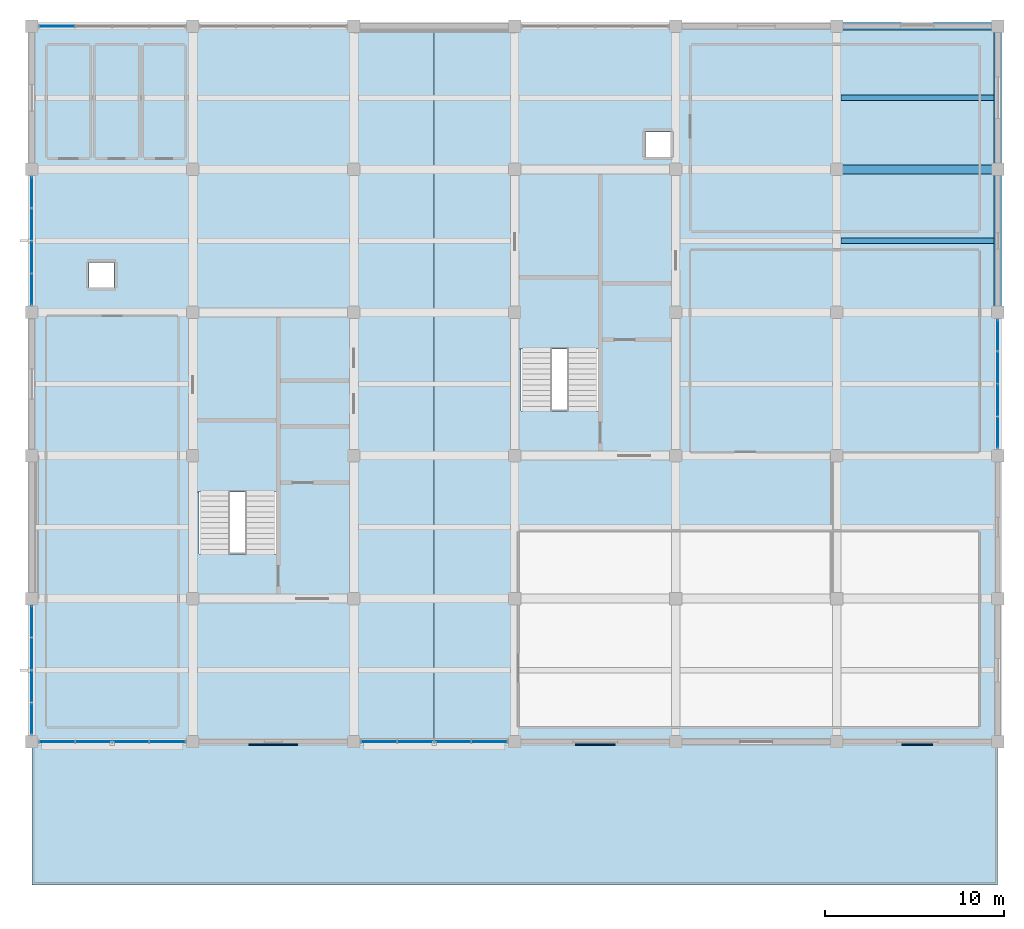
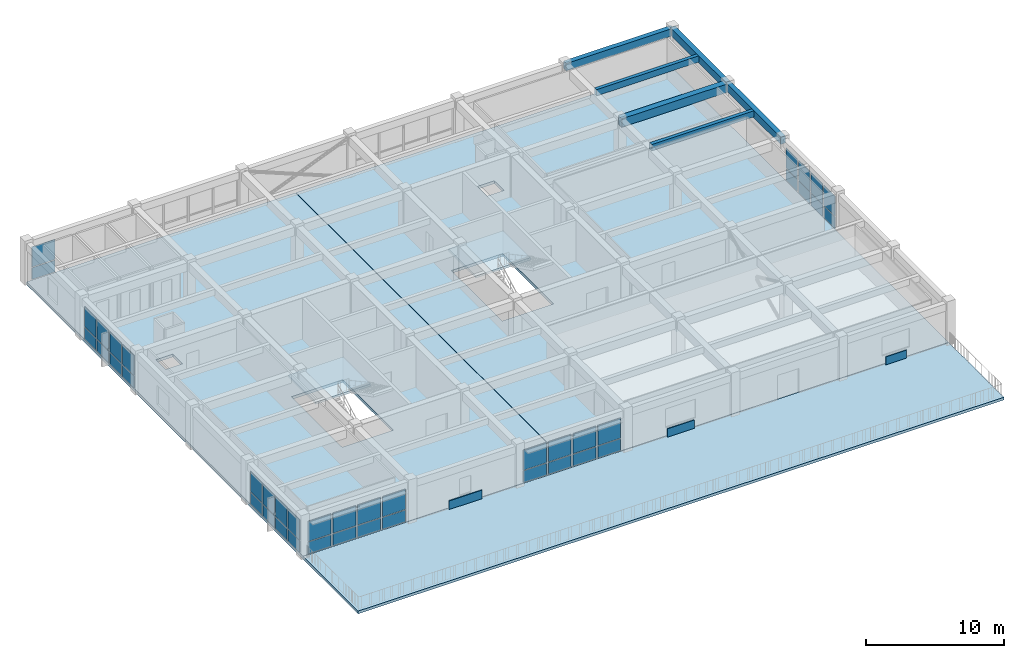
# One storey, part 9 of 14: 45 plates, 6 beams, 5 slabs, 8 elements without a shape of their own.
"""IFC4 building model written with IfcOpenShell, lengths in metres."""

from ifc_helpers import new_model, si_unit, direction, frame, frame_2d, origin, origin_2d, place, context, subcontext, project, spatial, polyline, rectangle, outline, extrude, material, layer, layer_set, material_profile, profile_set, type_object, element, aggregate, save


model = new_model("IFC4")

# Units and contexts
model_context = context("Model", 3, precision=1e-05, world=origin(), true_north=direction((0.0, 1.0)))
body_context = subcontext(model_context, "Body", "Model", "MODEL_VIEW")
ifc_project = project(units=[si_unit("LENGTHUNIT", "METRE"), si_unit("AREAUNIT", "SQUARE_METRE"), si_unit("VOLUMEUNIT", "CUBIC_METRE"), si_unit("PLANEANGLEUNIT", "RADIAN"), si_unit("MASSUNIT", "GRAM", prefix="KILO")], contexts=[model_context])

# Site, building, storey
site_placement = place(None, origin())
site = spatial("IfcSite", under=ifc_project, at=site_placement, CompositionType="ELEMENT")
building_placement = place(site_placement, origin())
building = spatial("IfcBuilding", under=site, at=building_placement, Name="Zaverband Oceanarium and Marine Research Institute", CompositionType="ELEMENT")
storey_placement = place(building_placement, frame((0.0, 0.0, 57.0)))
storey = spatial("IfcBuildingStorey", under=building, at=storey_placement, Name="L14", CompositionType="ELEMENT", Elevation=57.0)

# Beams
ifc_material_1 = material(Name="Concrete C40/50", Category="concrete")
ifc_material_profile_1 = material_profile(ifc_material_1, rectangle(XDim=0.5, YDim=0.75, at=origin_2d()), Name="RC500x750")
ifc_profile_set_1 = profile_set([ifc_material_profile_1], Name="Concrete C40/50")
beam_type_1 = type_object("IfcBeamType", Name="BM-500x750", PredefinedType="BEAM", material=ifc_profile_set_1)
beam_1_placement = place(storey_placement, frame((54.0, 104.0, 3.27490234375), z_axis=(1.0, 0.0, 0.0), x_axis=(0.0, 1.0, 0.0)))
element("IfcBeam", 1, at=beam_1_placement, inside=storey, type_object=beam_type_1, Name="Primary floor girder BM-500x750", PredefinedType="BEAM", context=body_context, shape_type="SweptSolid", body=[
    extrude(rectangle(XDim=0.5, YDim=0.75, at=origin_2d()), origin(), (0.0, 0.0, 1.0), 9.0),
])
ifc_material_profile_2 = material_profile(ifc_material_1, rectangle(XDim=0.300048828125, YDim=0.550048828125, at=origin_2d()), Name="RC300x550")
ifc_profile_set_2 = profile_set([ifc_material_profile_2], Name="Concrete C40/50")
beam_type_2 = type_object("IfcBeamType", Name="JST-300x550", PredefinedType="JOIST", material=ifc_profile_set_2)
for number, where, z_axis, x_axis, name in (
    (2, (54.25, 100.0, 3.375), (1.0, 0.0, 0.0), (0.0, 1.0, 0.0), "Secondary floor joist JST-300x550"),
    (3, (54.25, 108.0, 3.375), (1.0, 0.0, 0.0), (0.0, 1.0, 0.0), "Secondary floor joist JST-300x550"),
):
    element("IfcBeam", number, at=place(storey_placement, frame(where, z_axis=z_axis, x_axis=x_axis)), inside=storey, type_object=beam_type_2, Name=name, PredefinedType="JOIST", context=body_context, shape_type="SweptSolid", body=[
        extrude(rectangle(XDim=0.300048828125, YDim=0.550048828125, at=origin_2d()), origin(), (0.0, 0.0, 1.0), 8.550048828125),
    ])
ifc_material_profile_3 = material_profile(ifc_material_1, rectangle(XDim=0.39990234375, YDim=0.64990234375, at=origin_2d()), Name="RC400x650")
ifc_profile_set_3 = profile_set([ifc_material_profile_3], Name="Concrete C40/50")
beam_type_3 = type_object("IfcBeamType", Name="SPN-400x650", PredefinedType="SPANDREL", material=ifc_profile_set_3)
beam_2_placement = place(storey_placement, frame((54.0, 112.0, 3.324951171875), z_axis=(1.0, 0.0, 0.0), x_axis=(0.0, 1.0, 0.0)))
element("IfcBeam", 4, at=beam_2_placement, inside=storey, type_object=beam_type_3, Name="Perimeter spandrel beam SPN-400x650", PredefinedType="SPANDREL", context=body_context, shape_type="SweptSolid", body=[
    extrude(rectangle(XDim=0.39990234375, YDim=0.64990234375, at=origin_2d()), origin(), (0.0, 0.0, 1.0), 9.0),
])
for number, where, z_axis, x_axis, name in (
    (5, (63.0, 96.0, 3.324951171875), (0.0, 1.0, 0.0), (-1.0, 0.0, 0.0), "Perimeter spandrel beam SPN-400x650"),
    (6, (63.0, 104.0, 3.324951171875), (0.0, 1.0, 0.0), (-1.0, 0.0, 0.0), "Perimeter spandrel beam SPN-400x650"),
):
    element("IfcBeam", number, at=place(storey_placement, frame(where, z_axis=z_axis, x_axis=x_axis)), inside=storey, type_object=beam_type_3, Name=name, PredefinedType="SPANDREL", context=body_context, shape_type="SweptSolid", body=[
        extrude(rectangle(XDim=0.39990234375, YDim=0.64990234375, at=origin_2d()), origin(), (0.0, 0.0, 1.0), 8.0),
    ])

# Curtain wall, plates
ifc_material_2 = material(Name="Thermally broken anodized aluminium and solar-control glass", Category="aluminium")
curtain_wall_type = type_object("IfcCurtainWallType", Name="CW-UNIT-1800", PredefinedType="NOTDEFINED", material=ifc_material_2)
curtain_wall_1_placement = place(storey_placement, origin())
curtain_wall_1 = element("IfcCurtainWall", 7, at=curtain_wall_1_placement, inside=storey, type_object=curtain_wall_type, Name="Unitised glazed curtain wall CW-153", PredefinedType="NOTDEFINED")
ifc_material_3 = material(Name="Low-E double-glazed solar-control glass", Category="glass")
ifc_layer_1 = layer(ifc_material_3, 0.033935546875, Name="Low-E double-glazed solar-control glass")
ifc_layer_set_1 = layer_set([ifc_layer_1], Name="Low-E double-glazed solar-control glass")
plate_type_1 = type_object("IfcPlateType", Name="CWP-1570x1043", PredefinedType="CURTAIN_PANEL", material=ifc_layer_set_1)
plate_1_placement = place(storey_placement, frame((9.0, 72.43505859375, 0.050048828125), z_axis=(0.0, 0.0, 1.0), x_axis=(0.0, 1.0, 0.0)))
plate_1 = element("IfcPlate", 8, at=plate_1_placement, type_object=plate_type_1, Name="Glazed curtain wall panel CWP-1570x1043", PredefinedType="CURTAIN_PANEL", context=body_context, shape_type="SweptSolid", body=[
    extrude(rectangle(XDim=1.662353515625, YDim=0.033935546875, at=frame_2d((0.8310546875, 0.0))), origin(), (0.0, 0.0, 1.0), 1.04296875),
])
plate_2_placement = place(storey_placement, frame((9.0, 74.257568359375, 0.050048828125), z_axis=(0.0, 0.0, 1.0), x_axis=(0.0, 1.0, 0.0)))
plate_2 = element("IfcPlate", 9, at=plate_2_placement, type_object=plate_type_1, Name="Glazed curtain wall panel CWP-1570x1043", PredefinedType="CURTAIN_PANEL", context=body_context, shape_type="SweptSolid", body=[
    extrude(rectangle(XDim=1.662353515625, YDim=0.033935546875, at=frame_2d((0.8310546875, 0.0))), origin(), (0.0, 0.0, 1.0), 1.04296875),
])
plate_3_placement = place(storey_placement, frame((9.0, 76.080078125, 0.050048828125), z_axis=(0.0, 0.0, 1.0), x_axis=(0.0, 1.0, 0.0)))
plate_3 = element("IfcPlate", 10, at=plate_3_placement, type_object=plate_type_1, Name="Glazed curtain wall panel CWP-1570x1043", PredefinedType="CURTAIN_PANEL", context=body_context, shape_type="SweptSolid", body=[
    extrude(rectangle(XDim=1.662353515625, YDim=0.033935546875, at=frame_2d((0.8310546875, 0.0))), origin(), (0.0, 0.0, 1.0), 1.04296875),
])
plate_4_placement = place(storey_placement, frame((9.0, 77.902587890625, 0.050048828125), z_axis=(0.0, 0.0, 1.0), x_axis=(0.0, 1.0, 0.0)))
plate_4 = element("IfcPlate", 11, at=plate_4_placement, type_object=plate_type_1, Name="Glazed curtain wall panel CWP-1570x1043", PredefinedType="CURTAIN_PANEL", context=body_context, shape_type="SweptSolid", body=[
    extrude(rectangle(XDim=1.662353515625, YDim=0.033935546875, at=frame_2d((0.8310546875, 0.0))), origin(), (0.0, 0.0, 1.0), 1.04296875),
])

curtain_wall_2_placement = place(storey_placement, origin())
curtain_wall_2 = element("IfcCurtainWall", 12, at=curtain_wall_2_placement, inside=storey, type_object=curtain_wall_type, Name="Unitised glazed curtain wall CW-154", PredefinedType="NOTDEFINED")
plate_5_placement = place(storey_placement, frame((9.0, 96.43505859375, 0.050048828125), z_axis=(0.0, 0.0, 1.0), x_axis=(0.0, 1.0, 0.0)))
plate_5 = element("IfcPlate", 13, at=plate_5_placement, type_object=plate_type_1, Name="Glazed curtain wall panel CWP-1570x1043", PredefinedType="CURTAIN_PANEL", context=body_context, shape_type="SweptSolid", body=[
    extrude(rectangle(XDim=1.662353515625, YDim=0.033935546875, at=frame_2d((0.8310546875, 0.0))), origin(), (0.0, 0.0, 1.0), 1.04296875),
])
plate_6_placement = place(storey_placement, frame((9.0, 98.257568359375, 0.050048828125), z_axis=(0.0, 0.0, 1.0), x_axis=(0.0, 1.0, 0.0)))
plate_6 = element("IfcPlate", 14, at=plate_6_placement, type_object=plate_type_1, Name="Glazed curtain wall panel CWP-1570x1043", PredefinedType="CURTAIN_PANEL", context=body_context, shape_type="SweptSolid", body=[
    extrude(rectangle(XDim=1.662353515625, YDim=0.033935546875, at=frame_2d((0.8310546875, 0.0))), origin(), (0.0, 0.0, 1.0), 1.04296875),
])
plate_7_placement = place(storey_placement, frame((9.0, 100.080078125, 0.050048828125), z_axis=(0.0, 0.0, 1.0), x_axis=(0.0, 1.0, 0.0)))
plate_7 = element("IfcPlate", 15, at=plate_7_placement, type_object=plate_type_1, Name="Glazed curtain wall panel CWP-1570x1043", PredefinedType="CURTAIN_PANEL", context=body_context, shape_type="SweptSolid", body=[
    extrude(rectangle(XDim=1.662353515625, YDim=0.033935546875, at=frame_2d((0.8310546875, 0.0))), origin(), (0.0, 0.0, 1.0), 1.04296875),
])
plate_8_placement = place(storey_placement, frame((9.0, 101.902587890625, 0.050048828125), z_axis=(0.0, 0.0, 1.0), x_axis=(0.0, 1.0, 0.0)))
plate_8 = element("IfcPlate", 16, at=plate_8_placement, type_object=plate_type_1, Name="Glazed curtain wall panel CWP-1570x1043", PredefinedType="CURTAIN_PANEL", context=body_context, shape_type="SweptSolid", body=[
    extrude(rectangle(XDim=1.662353515625, YDim=0.033935546875, at=frame_2d((0.8310546875, 0.0))), origin(), (0.0, 0.0, 1.0), 1.04296875),
])

curtain_wall_3_placement = place(storey_placement, origin())
curtain_wall_3 = element("IfcCurtainWall", 17, at=curtain_wall_3_placement, inside=storey, type_object=curtain_wall_type, Name="Unitised glazed curtain wall CW-155", PredefinedType="NOTDEFINED")
plate_9_placement = place(storey_placement, frame((63.0, 88.43505859375, 0.050048828125), z_axis=(0.0, 0.0, 1.0), x_axis=(0.0, 1.0, 0.0)))
plate_9 = element("IfcPlate", 18, at=plate_9_placement, type_object=plate_type_1, Name="Glazed curtain wall panel CWP-1570x1043", PredefinedType="CURTAIN_PANEL", context=body_context, shape_type="SweptSolid", body=[
    extrude(rectangle(XDim=1.662353515625, YDim=0.033935546875, at=frame_2d((0.8310546875, 0.0))), origin(), (0.0, 0.0, 1.0), 1.04296875),
])
plate_10_placement = place(storey_placement, frame((63.0, 90.257568359375, 0.050048828125), z_axis=(0.0, 0.0, 1.0), x_axis=(0.0, 1.0, 0.0)))
plate_10 = element("IfcPlate", 19, at=plate_10_placement, type_object=plate_type_1, Name="Glazed curtain wall panel CWP-1570x1043", PredefinedType="CURTAIN_PANEL", context=body_context, shape_type="SweptSolid", body=[
    extrude(rectangle(XDim=1.662353515625, YDim=0.033935546875, at=frame_2d((0.8310546875, 0.0))), origin(), (0.0, 0.0, 1.0), 1.04296875),
])
plate_11_placement = place(storey_placement, frame((63.0, 92.080078125, 0.050048828125), z_axis=(0.0, 0.0, 1.0), x_axis=(0.0, 1.0, 0.0)))
plate_11 = element("IfcPlate", 20, at=plate_11_placement, type_object=plate_type_1, Name="Glazed curtain wall panel CWP-1570x1043", PredefinedType="CURTAIN_PANEL", context=body_context, shape_type="SweptSolid", body=[
    extrude(rectangle(XDim=1.662353515625, YDim=0.033935546875, at=frame_2d((0.8310546875, 0.0))), origin(), (0.0, 0.0, 1.0), 1.04296875),
])
plate_12_placement = place(storey_placement, frame((63.0, 93.902587890625, 0.050048828125), z_axis=(0.0, 0.0, 1.0), x_axis=(0.0, 1.0, 0.0)))
plate_12 = element("IfcPlate", 21, at=plate_12_placement, type_object=plate_type_1, Name="Glazed curtain wall panel CWP-1570x1043", PredefinedType="CURTAIN_PANEL", context=body_context, shape_type="SweptSolid", body=[
    extrude(rectangle(XDim=1.662353515625, YDim=0.033935546875, at=frame_2d((0.8310546875, 0.0))), origin(), (0.0, 0.0, 1.0), 1.04296875),
])

# Plate
ifc_layer_2 = layer(ifc_material_3, 0.035888671875, Name="Low-E double-glazed solar-control glass")
ifc_layer_set_2 = layer_set([ifc_layer_2], Name="Low-E double-glazed solar-control glass")
plate_type_2 = type_object("IfcPlateType", Name="CWP-1570x1777", PredefinedType="CURTAIN_PANEL", material=ifc_layer_set_2)
plate_13_placement = place(storey_placement, frame((9.0, 72.43505859375, 1.1630859375), z_axis=(0.0, 0.0, 1.0), x_axis=(0.0, 1.0, 0.0)))
plate_13 = element("IfcPlate", 22, at=plate_13_placement, type_object=plate_type_2, Name="Glazed curtain wall panel CWP-1570x1777", PredefinedType="CURTAIN_PANEL", context=body_context, shape_type="SweptSolid", body=[
    extrude(rectangle(XDim=1.662353515625, YDim=0.035888671875, at=frame_2d((0.8310546875, 0.0))), origin(), (0.0, 0.0, 1.0), 1.77685546875),
])

plate_14_placement = place(storey_placement, frame((9.0, 74.257568359375, 1.1630859375), z_axis=(0.0, 0.0, 1.0), x_axis=(0.0, 1.0, 0.0)))
plate_14 = element("IfcPlate", 23, at=plate_14_placement, type_object=plate_type_2, Name="Glazed curtain wall panel CWP-1570x1777", PredefinedType="CURTAIN_PANEL", context=body_context, shape_type="SweptSolid", body=[
    extrude(rectangle(XDim=1.662353515625, YDim=0.035888671875, at=frame_2d((0.8310546875, 0.0))), origin(), (0.0, 0.0, 1.0), 1.77685546875),
])

plate_15_placement = place(storey_placement, frame((9.0, 76.080078125, 1.1630859375), z_axis=(0.0, 0.0, 1.0), x_axis=(0.0, 1.0, 0.0)))
plate_15 = element("IfcPlate", 24, at=plate_15_placement, type_object=plate_type_2, Name="Glazed curtain wall panel CWP-1570x1777", PredefinedType="CURTAIN_PANEL", context=body_context, shape_type="SweptSolid", body=[
    extrude(rectangle(XDim=1.662353515625, YDim=0.035888671875, at=frame_2d((0.8310546875, 0.0))), origin(), (0.0, 0.0, 1.0), 1.77685546875),
])

plate_16_placement = place(storey_placement, frame((9.0, 77.902587890625, 1.1630859375), z_axis=(0.0, 0.0, 1.0), x_axis=(0.0, 1.0, 0.0)))
plate_16 = element("IfcPlate", 25, at=plate_16_placement, type_object=plate_type_2, Name="Glazed curtain wall panel CWP-1570x1777", PredefinedType="CURTAIN_PANEL", context=body_context, shape_type="SweptSolid", body=[
    extrude(rectangle(XDim=1.662353515625, YDim=0.035888671875, at=frame_2d((0.8310546875, 0.0))), origin(), (0.0, 0.0, 1.0), 1.77685546875),
])

aggregate(curtain_wall_1, [plate_1, plate_13, plate_2, plate_14, plate_3, plate_15, plate_4, plate_16])

plate_17_placement = place(storey_placement, frame((9.0, 96.43505859375, 1.1630859375), z_axis=(0.0, 0.0, 1.0), x_axis=(0.0, 1.0, 0.0)))
plate_17 = element("IfcPlate", 26, at=plate_17_placement, type_object=plate_type_2, Name="Glazed curtain wall panel CWP-1570x1777", PredefinedType="CURTAIN_PANEL", context=body_context, shape_type="SweptSolid", body=[
    extrude(rectangle(XDim=1.662353515625, YDim=0.035888671875, at=frame_2d((0.8310546875, 0.0))), origin(), (0.0, 0.0, 1.0), 1.77685546875),
])

plate_18_placement = place(storey_placement, frame((9.0, 98.257568359375, 1.1630859375), z_axis=(0.0, 0.0, 1.0), x_axis=(0.0, 1.0, 0.0)))
plate_18 = element("IfcPlate", 27, at=plate_18_placement, type_object=plate_type_2, Name="Glazed curtain wall panel CWP-1570x1777", PredefinedType="CURTAIN_PANEL", context=body_context, shape_type="SweptSolid", body=[
    extrude(rectangle(XDim=1.662353515625, YDim=0.035888671875, at=frame_2d((0.8310546875, 0.0))), origin(), (0.0, 0.0, 1.0), 1.77685546875),
])

plate_19_placement = place(storey_placement, frame((9.0, 100.080078125, 1.1630859375), z_axis=(0.0, 0.0, 1.0), x_axis=(0.0, 1.0, 0.0)))
plate_19 = element("IfcPlate", 28, at=plate_19_placement, type_object=plate_type_2, Name="Glazed curtain wall panel CWP-1570x1777", PredefinedType="CURTAIN_PANEL", context=body_context, shape_type="SweptSolid", body=[
    extrude(rectangle(XDim=1.662353515625, YDim=0.035888671875, at=frame_2d((0.8310546875, 0.0))), origin(), (0.0, 0.0, 1.0), 1.77685546875),
])

plate_20_placement = place(storey_placement, frame((9.0, 101.902587890625, 1.1630859375), z_axis=(0.0, 0.0, 1.0), x_axis=(0.0, 1.0, 0.0)))
plate_20 = element("IfcPlate", 29, at=plate_20_placement, type_object=plate_type_2, Name="Glazed curtain wall panel CWP-1570x1777", PredefinedType="CURTAIN_PANEL", context=body_context, shape_type="SweptSolid", body=[
    extrude(rectangle(XDim=1.662353515625, YDim=0.035888671875, at=frame_2d((0.8310546875, 0.0))), origin(), (0.0, 0.0, 1.0), 1.77685546875),
])

aggregate(curtain_wall_2, [plate_5, plate_17, plate_6, plate_18, plate_7, plate_19, plate_8, plate_20])

plate_21_placement = place(storey_placement, frame((63.0, 88.43505859375, 1.1630859375), z_axis=(0.0, 0.0, 1.0), x_axis=(0.0, 1.0, 0.0)))
plate_21 = element("IfcPlate", 30, at=plate_21_placement, type_object=plate_type_2, Name="Glazed curtain wall panel CWP-1570x1777", PredefinedType="CURTAIN_PANEL", context=body_context, shape_type="SweptSolid", body=[
    extrude(rectangle(XDim=1.662353515625, YDim=0.035888671875, at=frame_2d((0.8310546875, 0.0))), origin(), (0.0, 0.0, 1.0), 1.77685546875),
])

plate_22_placement = place(storey_placement, frame((63.0, 90.257568359375, 1.1630859375), z_axis=(0.0, 0.0, 1.0), x_axis=(0.0, 1.0, 0.0)))
plate_22 = element("IfcPlate", 31, at=plate_22_placement, type_object=plate_type_2, Name="Glazed curtain wall panel CWP-1570x1777", PredefinedType="CURTAIN_PANEL", context=body_context, shape_type="SweptSolid", body=[
    extrude(rectangle(XDim=1.662353515625, YDim=0.035888671875, at=frame_2d((0.8310546875, 0.0))), origin(), (0.0, 0.0, 1.0), 1.77685546875),
])

plate_23_placement = place(storey_placement, frame((63.0, 92.080078125, 1.1630859375), z_axis=(0.0, 0.0, 1.0), x_axis=(0.0, 1.0, 0.0)))
plate_23 = element("IfcPlate", 32, at=plate_23_placement, type_object=plate_type_2, Name="Glazed curtain wall panel CWP-1570x1777", PredefinedType="CURTAIN_PANEL", context=body_context, shape_type="SweptSolid", body=[
    extrude(rectangle(XDim=1.662353515625, YDim=0.035888671875, at=frame_2d((0.8310546875, 0.0))), origin(), (0.0, 0.0, 1.0), 1.77685546875),
])

plate_24_placement = place(storey_placement, frame((63.0, 93.902587890625, 1.1630859375), z_axis=(0.0, 0.0, 1.0), x_axis=(0.0, 1.0, 0.0)))
plate_24 = element("IfcPlate", 33, at=plate_24_placement, type_object=plate_type_2, Name="Glazed curtain wall panel CWP-1570x1777", PredefinedType="CURTAIN_PANEL", context=body_context, shape_type="SweptSolid", body=[
    extrude(rectangle(XDim=1.662353515625, YDim=0.035888671875, at=frame_2d((0.8310546875, 0.0))), origin(), (0.0, 0.0, 1.0), 1.77685546875),
])

aggregate(curtain_wall_3, [plate_9, plate_21, plate_10, plate_22, plate_11, plate_23, plate_12, plate_24])

# Curtain wall, plates
curtain_wall_4_placement = place(storey_placement, origin())
curtain_wall_4 = element("IfcCurtainWall", 34, at=curtain_wall_4_placement, inside=storey, type_object=curtain_wall_type, Name="Unitised glazed curtain wall CW-148", PredefinedType="NOTDEFINED")
ifc_layer_3 = layer(ifc_material_3, 0.033935546875, Name="Low-E double-glazed solar-control glass")
ifc_layer_set_3 = layer_set([ifc_layer_3], Name="Low-E double-glazed solar-control glass")
plate_type_3 = type_object("IfcPlateType", Name="CWP-1820x1043", PredefinedType="CURTAIN_PANEL", material=ifc_layer_set_3)
plate_25_placement = place(storey_placement, frame((9.43505859375, 72.0, 0.050048828125), z_axis=(0.0, 0.0, 1.0), x_axis=(1.0, 0.0, 0.0)))
plate_25 = element("IfcPlate", 35, at=plate_25_placement, type_object=plate_type_3, Name="Glazed curtain wall panel CWP-1820x1043", PredefinedType="CURTAIN_PANEL", context=body_context, shape_type="SweptSolid", body=[
    extrude(rectangle(XDim=1.912353515625, YDim=0.033935546875, at=frame_2d((0.9560546875, 0.0))), origin(), (0.0, 0.0, 1.0), 1.04296875),
])
plate_26_placement = place(storey_placement, frame((11.507568359375, 72.0, 0.050048828125), z_axis=(0.0, 0.0, 1.0), x_axis=(1.0, 0.0, 0.0)))
plate_26 = element("IfcPlate", 36, at=plate_26_placement, type_object=plate_type_3, Name="Glazed curtain wall panel CWP-1820x1043", PredefinedType="CURTAIN_PANEL", context=body_context, shape_type="SweptSolid", body=[
    extrude(rectangle(XDim=1.912353515625, YDim=0.033935546875, at=frame_2d((0.9560546875, 0.0))), origin(), (0.0, 0.0, 1.0), 1.04296875),
])
plate_27_placement = place(storey_placement, frame((13.580078125, 72.0, 0.050048828125), z_axis=(0.0, 0.0, 1.0), x_axis=(1.0, 0.0, 0.0)))
plate_27 = element("IfcPlate", 37, at=plate_27_placement, type_object=plate_type_3, Name="Glazed curtain wall panel CWP-1820x1043", PredefinedType="CURTAIN_PANEL", context=body_context, shape_type="SweptSolid", body=[
    extrude(rectangle(XDim=1.912353515625, YDim=0.033935546875, at=frame_2d((0.9560546875, 0.0))), origin(), (0.0, 0.0, 1.0), 1.04296875),
])
plate_28_placement = place(storey_placement, frame((15.652587890625, 72.0, 0.050048828125), z_axis=(0.0, 0.0, 1.0), x_axis=(1.0, 0.0, 0.0)))
plate_28 = element("IfcPlate", 38, at=plate_28_placement, type_object=plate_type_3, Name="Glazed curtain wall panel CWP-1820x1043", PredefinedType="CURTAIN_PANEL", context=body_context, shape_type="SweptSolid", body=[
    extrude(rectangle(XDim=1.912353515625, YDim=0.033935546875, at=frame_2d((0.9560546875, 0.0))), origin(), (0.0, 0.0, 1.0), 1.04296875),
])

curtain_wall_5_placement = place(storey_placement, origin())
curtain_wall_5 = element("IfcCurtainWall", 39, at=curtain_wall_5_placement, inside=storey, type_object=curtain_wall_type, Name="Unitised glazed curtain wall CW-149", PredefinedType="NOTDEFINED")
plate_29_placement = place(storey_placement, frame((27.43505859375, 72.0, 0.050048828125), z_axis=(0.0, 0.0, 1.0), x_axis=(1.0, 0.0, 0.0)))
plate_29 = element("IfcPlate", 40, at=plate_29_placement, type_object=plate_type_3, Name="Glazed curtain wall panel CWP-1820x1043", PredefinedType="CURTAIN_PANEL", context=body_context, shape_type="SweptSolid", body=[
    extrude(rectangle(XDim=1.912353515625, YDim=0.033935546875, at=frame_2d((0.9560546875, 0.0))), origin(), (0.0, 0.0, 1.0), 1.04296875),
])
plate_30_placement = place(storey_placement, frame((29.507568359375, 72.0, 0.050048828125), z_axis=(0.0, 0.0, 1.0), x_axis=(1.0, 0.0, 0.0)))
plate_30 = element("IfcPlate", 41, at=plate_30_placement, type_object=plate_type_3, Name="Glazed curtain wall panel CWP-1820x1043", PredefinedType="CURTAIN_PANEL", context=body_context, shape_type="SweptSolid", body=[
    extrude(rectangle(XDim=1.912353515625, YDim=0.033935546875, at=frame_2d((0.9560546875, 0.0))), origin(), (0.0, 0.0, 1.0), 1.04296875),
])
plate_31_placement = place(storey_placement, frame((31.580078125, 72.0, 0.050048828125), z_axis=(0.0, 0.0, 1.0), x_axis=(1.0, 0.0, 0.0)))
plate_31 = element("IfcPlate", 42, at=plate_31_placement, type_object=plate_type_3, Name="Glazed curtain wall panel CWP-1820x1043", PredefinedType="CURTAIN_PANEL", context=body_context, shape_type="SweptSolid", body=[
    extrude(rectangle(XDim=1.912353515625, YDim=0.033935546875, at=frame_2d((0.9560546875, 0.0))), origin(), (0.0, 0.0, 1.0), 1.04296875),
])
plate_32_placement = place(storey_placement, frame((33.652587890625, 72.0, 0.050048828125), z_axis=(0.0, 0.0, 1.0), x_axis=(1.0, 0.0, 0.0)))
plate_32 = element("IfcPlate", 43, at=plate_32_placement, type_object=plate_type_3, Name="Glazed curtain wall panel CWP-1820x1043", PredefinedType="CURTAIN_PANEL", context=body_context, shape_type="SweptSolid", body=[
    extrude(rectangle(XDim=1.912353515625, YDim=0.033935546875, at=frame_2d((0.9560546875, 0.0))), origin(), (0.0, 0.0, 1.0), 1.04296875),
])

# Curtain wall, plate
curtain_wall_6_placement = place(storey_placement, origin())
curtain_wall_6 = element("IfcCurtainWall", 44, at=curtain_wall_6_placement, inside=storey, type_object=curtain_wall_type, Name="Unitised glazed curtain wall CW-150", PredefinedType="NOTDEFINED")
plate_33_placement = place(storey_placement, frame((9.43505859375, 112.0, 0.050048828125), z_axis=(0.0, 0.0, 1.0), x_axis=(1.0, 0.0, 0.0)))
plate_33 = element("IfcPlate", 45, at=plate_33_placement, type_object=plate_type_3, Name="Glazed curtain wall panel CWP-1820x1043", PredefinedType="CURTAIN_PANEL", context=body_context, shape_type="SweptSolid", body=[
    extrude(rectangle(XDim=1.912353515625, YDim=0.033935546875, at=frame_2d((0.9560546875, 0.0))), origin(), (0.0, 0.0, 1.0), 1.04296875),
])

# Plate
ifc_layer_4 = layer(ifc_material_3, 0.035888671875, Name="Low-E double-glazed solar-control glass")
ifc_layer_set_4 = layer_set([ifc_layer_4], Name="Low-E double-glazed solar-control glass")
plate_type_4 = type_object("IfcPlateType", Name="CWP-1820x1777", PredefinedType="CURTAIN_PANEL", material=ifc_layer_set_4)
plate_34_placement = place(storey_placement, frame((9.43505859375, 72.0, 1.1630859375), z_axis=(0.0, 0.0, 1.0), x_axis=(1.0, 0.0, 0.0)))
plate_34 = element("IfcPlate", 46, at=plate_34_placement, type_object=plate_type_4, Name="Glazed curtain wall panel CWP-1820x1777", PredefinedType="CURTAIN_PANEL", context=body_context, shape_type="SweptSolid", body=[
    extrude(rectangle(XDim=1.912353515625, YDim=0.035888671875, at=frame_2d((0.9560546875, 0.0))), origin(), (0.0, 0.0, 1.0), 1.77685546875),
])

plate_35_placement = place(storey_placement, frame((11.507568359375, 72.0, 1.1630859375), z_axis=(0.0, 0.0, 1.0), x_axis=(1.0, 0.0, 0.0)))
plate_35 = element("IfcPlate", 47, at=plate_35_placement, type_object=plate_type_4, Name="Glazed curtain wall panel CWP-1820x1777", PredefinedType="CURTAIN_PANEL", context=body_context, shape_type="SweptSolid", body=[
    extrude(rectangle(XDim=1.912353515625, YDim=0.035888671875, at=frame_2d((0.9560546875, 0.0))), origin(), (0.0, 0.0, 1.0), 1.77685546875),
])

plate_36_placement = place(storey_placement, frame((13.580078125, 72.0, 1.1630859375), z_axis=(0.0, 0.0, 1.0), x_axis=(1.0, 0.0, 0.0)))
plate_36 = element("IfcPlate", 48, at=plate_36_placement, type_object=plate_type_4, Name="Glazed curtain wall panel CWP-1820x1777", PredefinedType="CURTAIN_PANEL", context=body_context, shape_type="SweptSolid", body=[
    extrude(rectangle(XDim=1.912353515625, YDim=0.035888671875, at=frame_2d((0.9560546875, 0.0))), origin(), (0.0, 0.0, 1.0), 1.77685546875),
])

plate_37_placement = place(storey_placement, frame((15.652587890625, 72.0, 1.1630859375), z_axis=(0.0, 0.0, 1.0), x_axis=(1.0, 0.0, 0.0)))
plate_37 = element("IfcPlate", 49, at=plate_37_placement, type_object=plate_type_4, Name="Glazed curtain wall panel CWP-1820x1777", PredefinedType="CURTAIN_PANEL", context=body_context, shape_type="SweptSolid", body=[
    extrude(rectangle(XDim=1.912353515625, YDim=0.035888671875, at=frame_2d((0.9560546875, 0.0))), origin(), (0.0, 0.0, 1.0), 1.77685546875),
])

aggregate(curtain_wall_4, [plate_25, plate_34, plate_26, plate_35, plate_27, plate_36, plate_28, plate_37])

plate_38_placement = place(storey_placement, frame((27.43505859375, 72.0, 1.1630859375), z_axis=(0.0, 0.0, 1.0), x_axis=(1.0, 0.0, 0.0)))
plate_38 = element("IfcPlate", 50, at=plate_38_placement, type_object=plate_type_4, Name="Glazed curtain wall panel CWP-1820x1777", PredefinedType="CURTAIN_PANEL", context=body_context, shape_type="SweptSolid", body=[
    extrude(rectangle(XDim=1.912353515625, YDim=0.035888671875, at=frame_2d((0.9560546875, 0.0))), origin(), (0.0, 0.0, 1.0), 1.77685546875),
])

plate_39_placement = place(storey_placement, frame((29.507568359375, 72.0, 1.1630859375), z_axis=(0.0, 0.0, 1.0), x_axis=(1.0, 0.0, 0.0)))
plate_39 = element("IfcPlate", 51, at=plate_39_placement, type_object=plate_type_4, Name="Glazed curtain wall panel CWP-1820x1777", PredefinedType="CURTAIN_PANEL", context=body_context, shape_type="SweptSolid", body=[
    extrude(rectangle(XDim=1.912353515625, YDim=0.035888671875, at=frame_2d((0.9560546875, 0.0))), origin(), (0.0, 0.0, 1.0), 1.77685546875),
])

plate_40_placement = place(storey_placement, frame((31.580078125, 72.0, 1.1630859375), z_axis=(0.0, 0.0, 1.0), x_axis=(1.0, 0.0, 0.0)))
plate_40 = element("IfcPlate", 52, at=plate_40_placement, type_object=plate_type_4, Name="Glazed curtain wall panel CWP-1820x1777", PredefinedType="CURTAIN_PANEL", context=body_context, shape_type="SweptSolid", body=[
    extrude(rectangle(XDim=1.912353515625, YDim=0.035888671875, at=frame_2d((0.9560546875, 0.0))), origin(), (0.0, 0.0, 1.0), 1.77685546875),
])

plate_41_placement = place(storey_placement, frame((33.652587890625, 72.0, 1.1630859375), z_axis=(0.0, 0.0, 1.0), x_axis=(1.0, 0.0, 0.0)))
plate_41 = element("IfcPlate", 53, at=plate_41_placement, type_object=plate_type_4, Name="Glazed curtain wall panel CWP-1820x1777", PredefinedType="CURTAIN_PANEL", context=body_context, shape_type="SweptSolid", body=[
    extrude(rectangle(XDim=1.912353515625, YDim=0.035888671875, at=frame_2d((0.9560546875, 0.0))), origin(), (0.0, 0.0, 1.0), 1.77685546875),
])

aggregate(curtain_wall_5, [plate_29, plate_38, plate_30, plate_39, plate_31, plate_40, plate_32, plate_41])

plate_42_placement = place(storey_placement, frame((9.43505859375, 112.0, 1.1630859375), z_axis=(0.0, 0.0, 1.0), x_axis=(1.0, 0.0, 0.0)))
plate_42 = element("IfcPlate", 54, at=plate_42_placement, type_object=plate_type_4, Name="Glazed curtain wall panel CWP-1820x1777", PredefinedType="CURTAIN_PANEL", context=body_context, shape_type="SweptSolid", body=[
    extrude(rectangle(XDim=1.912353515625, YDim=0.035888671875, at=frame_2d((0.9560546875, 0.0))), origin(), (0.0, 0.0, 1.0), 1.77685546875),
])

aggregate(curtain_wall_6, [plate_33, plate_42])

# Plates
ifc_material_4 = material(Name="Concrete C40/50 precast ochre", Category="concrete")
ifc_layer_5 = layer(ifc_material_4, 0.070068359375, Name="Concrete C40/50 precast ochre")
ifc_layer_set_5 = layer_set([ifc_layer_5], Name="Concrete C40/50 precast ochre")
plate_type_5 = type_object("IfcPlateType", Name="FRP-1750x700", PredefinedType="USERDEFINED", material=ifc_layer_set_5)
plate_43_placement = place(storey_placement, frame((57.625, 71.847412109375, 0.0), z_axis=(0.0, 0.0, 1.0), x_axis=(1.0, 0.0, 0.0)))
element("IfcPlate", 55, at=plate_43_placement, inside=storey, type_object=plate_type_5, Name="Geometric precast facade cladding panel FRP-1750x700", ObjectType="FLANGE_PLATE", PredefinedType="USERDEFINED", context=body_context, shape_type="SweptSolid", body=[
    extrude(rectangle(XDim=1.75, YDim=0.070068359375, at=frame_2d((0.875, 0.0))), origin(), (0.0, 0.0, 1.0), 0.699951171875),
])
ifc_layer_6 = layer(ifc_material_4, 0.074951171875, Name="Concrete C40/50 precast ochre")
ifc_layer_set_6 = layer_set([ifc_layer_6], Name="Concrete C40/50 precast ochre")
plate_type_6 = type_object("IfcPlateType", Name="FRP-2250x740", PredefinedType="USERDEFINED", material=ifc_layer_set_6)
plate_44_placement = place(storey_placement, frame((39.375, 71.844970703125, 0.0), z_axis=(0.0, 0.0, 1.0), x_axis=(1.0, 0.0, 0.0)))
element("IfcPlate", 56, at=plate_44_placement, inside=storey, type_object=plate_type_6, Name="Geometric precast facade cladding panel FRP-2250x740", ObjectType="FLANGE_PLATE", PredefinedType="USERDEFINED", context=body_context, shape_type="SweptSolid", body=[
    extrude(rectangle(XDim=2.25, YDim=0.074951171875, at=frame_2d((1.125, 0.0))), origin(), (0.0, 0.0, 1.0), 0.739990234375),
])
ifc_layer_7 = layer(ifc_material_4, 0.080078125, Name="Concrete C40/50 precast ochre")
ifc_layer_set_7 = layer_set([ifc_layer_7], Name="Concrete C40/50 precast ochre")
plate_type_7 = type_object("IfcPlateType", Name="FRP-2750x760", PredefinedType="USERDEFINED", material=ifc_layer_set_7)
plate_45_placement = place(storey_placement, frame((21.125, 71.842529296875, 0.0), z_axis=(0.0, 0.0, 1.0), x_axis=(1.0, 0.0, 0.0)))
element("IfcPlate", 57, at=plate_45_placement, inside=storey, type_object=plate_type_7, Name="Geometric precast facade cladding panel FRP-2750x760", ObjectType="FLANGE_PLATE", PredefinedType="USERDEFINED", context=body_context, shape_type="SweptSolid", body=[
    extrude(rectangle(XDim=2.75, YDim=0.080078125, at=frame_2d((1.375, 0.0))), origin(), (0.0, 0.0, 1.0), 0.760009765625),
])

# Slabs
ifc_layer_8 = layer(ifc_material_1, 0.25, Name="Concrete C40/50")
ifc_layer_set_8 = layer_set([ifc_layer_8], Name="Concrete C40/50")
slab_type_1 = type_object("IfcSlabType", Name="SLB-LAB-250", PredefinedType="FLOOR", material=ifc_layer_set_8)
slab_1_placement = place(storey_placement, frame((0.0, 0.0, -0.25)))
element("IfcSlab", 58, at=slab_1_placement, inside=storey, type_object=slab_type_1, Name="Suspended floor slab SLB-LAB-250", PredefinedType="FLOOR", context=body_context, shape_type="SweptSolid", body=[
    extrude(outline(polyline([(9.0, 112.0), (31.485107421875, 112.0), (31.485107421875, 72.0), (9.0, 72.0), (9.0, 112.0)]), holes=[polyline([(18.35009765625, 89.85009765625), (18.35009765625, 82.5), (22.64990234375, 82.5), (22.64990234375, 89.85009765625), (18.35009765625, 89.85009765625)]), polyline([(12.199951171875, 98.800048828125), (12.199951171875, 97.39990234375), (13.60009765625, 97.39990234375), (13.60009765625, 98.800048828125), (12.199951171875, 98.800048828125)])]), origin(), (0.0, 0.0, 1.0), 0.25),
])
slab_2_placement = place(storey_placement, frame((0.0, 0.0, -0.25)))
element("IfcSlab", 59, at=slab_2_placement, inside=storey, type_object=slab_type_1, Name="Suspended floor slab SLB-LAB-250", PredefinedType="FLOOR", context=body_context, shape_type="SweptSolid", body=[
    extrude(outline(polyline([(31.514892578125, 112.0), (63.0, 112.0), (63.0, 72.0), (31.514892578125, 72.0), (31.514892578125, 112.0)]), holes=[polyline([(36.35009765625, 97.85009765625), (36.35009765625, 90.5), (40.64990234375, 90.5), (40.64990234375, 97.85009765625), (36.35009765625, 97.85009765625)]), polyline([(43.300048828125, 106.10009765625), (43.300048828125, 104.699951171875), (44.699951171875, 104.699951171875), (44.699951171875, 106.10009765625), (43.300048828125, 106.10009765625)])]), origin(), (0.0, 0.0, 1.0), 0.25),
])

# Stair, slab
stair_type = type_object("IfcStairType", Name="STR-TWR-1650-3900", PredefinedType="HALF_TURN_STAIR", material=ifc_material_1)
stair_1_placement = place(storey_placement, origin())
stair_1 = element("IfcStair", 60, at=stair_1_placement, inside=storey, type_object=stair_type, Name="Exit Stair ST-01 (L14)", PredefinedType="HALF_TURN_STAIR")
ifc_layer_9 = layer(ifc_material_1, 0.199951171875, Name="Concrete C40/50")
ifc_layer_set_9 = layer_set([ifc_layer_9], Name="Concrete C40/50")
slab_type_2 = type_object("IfcSlabType", Name="SLB-LND-200", PredefinedType="LANDING", material=ifc_layer_set_9)
slab_3_placement = place(storey_placement, frame((0.0, 0.0, 1.75)))
slab_3 = element("IfcSlab", 61, at=slab_3_placement, type_object=slab_type_2, Name="Stair / ramp landing slab SLB-LND-200", PredefinedType="LANDING", context=body_context, shape_type="SweptSolid", body=[
    extrude(outline(polyline([(18.139892578125, 85.969970703125), (22.735107421875, 85.969970703125), (22.735107421875, 89.93505859375), (18.139892578125, 89.93505859375), (18.139892578125, 85.969970703125)])), origin(), (0.0, 0.0, 1.0), 0.199951171875),
])
aggregate(stair_1, [slab_3])

stair_2_placement = place(storey_placement, origin())
stair_2 = element("IfcStair", 62, at=stair_2_placement, inside=storey, type_object=stair_type, Name="Exit Stair ST-02 (L14)", PredefinedType="HALF_TURN_STAIR")
slab_4_placement = place(storey_placement, frame((0.0, 0.0, 1.75)))
slab_4 = element("IfcSlab", 63, at=slab_4_placement, type_object=slab_type_2, Name="Stair / ramp landing slab SLB-LND-200", PredefinedType="LANDING", context=body_context, shape_type="SweptSolid", body=[
    extrude(outline(polyline([(36.139892578125, 93.969970703125), (40.735107421875, 93.969970703125), (40.735107421875, 97.93505859375), (36.139892578125, 97.93505859375), (36.139892578125, 93.969970703125)])), origin(), (0.0, 0.0, 1.0), 0.199951171875),
])
aggregate(stair_2, [slab_4])

# Slab
ifc_layer_10 = layer(ifc_material_1, 0.239990234375, Name="Concrete C40/50")
ifc_layer_set_10 = layer_set([ifc_layer_10], Name="Concrete C40/50")
slab_type_3 = type_object("IfcSlabType", Name="SLB-TER-240", PredefinedType="FLOOR", material=ifc_layer_set_10)
slab_5_placement = place(storey_placement, frame((0.0, 0.0, -0.239990234375)))
element("IfcSlab", 64, at=slab_5_placement, inside=storey, type_object=slab_type_3, Name="Exterior terrace / balcony deck SLB-TER-240", PredefinedType="FLOOR", context=body_context, shape_type="SweptSolid", body=[
    extrude(outline(polyline([(9.0, 64.0), (63.0, 64.0), (63.0, 71.985107421875), (9.0, 71.985107421875), (9.0, 64.0)])), origin(), (0.0, 0.0, 1.0), 0.239990234375),
])

save(model, "model.ifc")
